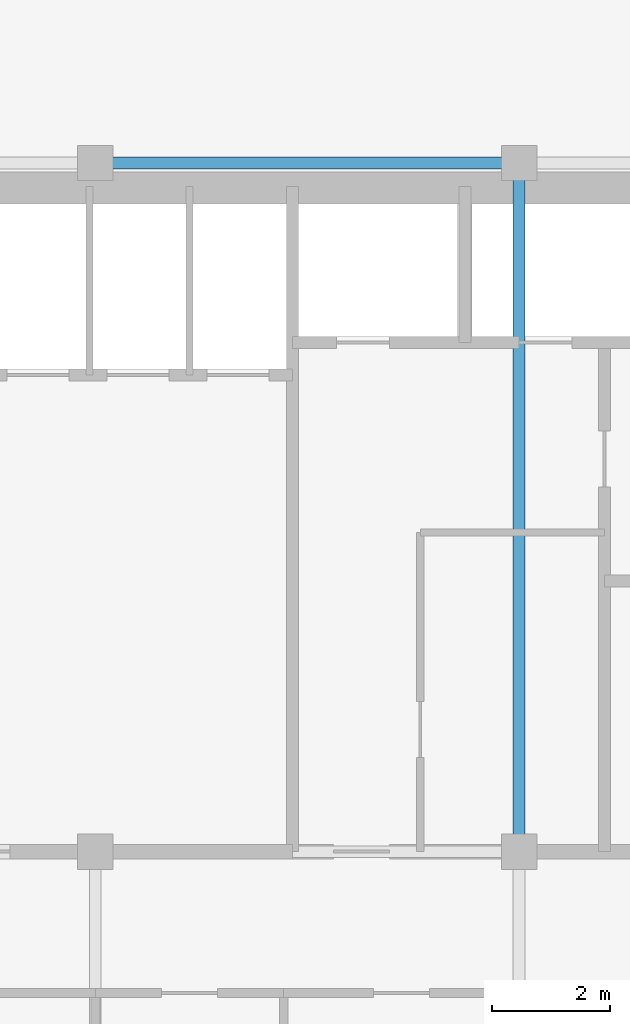
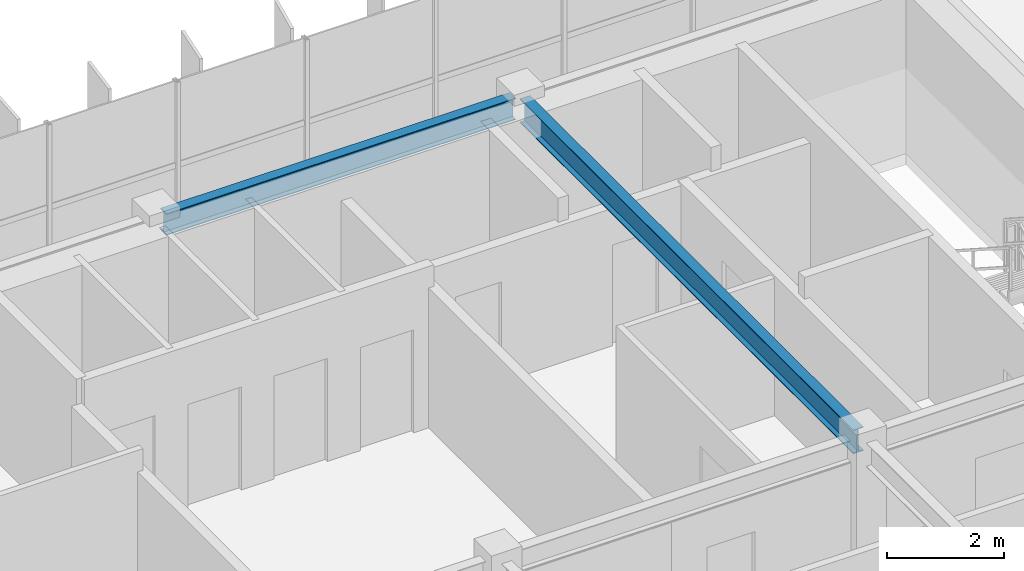
# One storey, part 10 of 22: 2 beams.
"""IFC4 building model written with IfcOpenShell, lengths in metres."""

from ifc_helpers import new_model, si_unit, direction, frame, origin, origin_2d, place, context, subcontext, project, spatial, i_section, extrude, source, transform, mapped, material, material_profile, profile_set, type_object, element, save


model = new_model("IFC4")

# Units and contexts
model_context = context("Model", 3, precision=1e-05, world=origin(), true_north=direction((0.0, 1.0)))
body_context = subcontext(model_context, "Body", "Model", "MODEL_VIEW")
ifc_project = project(units=[si_unit("LENGTHUNIT", "METRE"), si_unit("AREAUNIT", "SQUARE_METRE"), si_unit("VOLUMEUNIT", "CUBIC_METRE"), si_unit("PLANEANGLEUNIT", "RADIAN"), si_unit("MASSUNIT", "GRAM", prefix="KILO")], contexts=[model_context])

# Site, building, storey
site_placement = place(None, origin())
site = spatial("IfcSite", under=ifc_project, at=site_placement, CompositionType="ELEMENT")
building_placement = place(site_placement, origin())
building = spatial("IfcBuilding", under=site, at=building_placement, Name="Trelvane Seafront Commons", CompositionType="ELEMENT")
storey_placement = place(building_placement, frame((0.0, 0.0, 281.10009765625)))
storey = spatial("IfcBuildingStorey", under=building, at=storey_placement, Name="L73", CompositionType="ELEMENT", Elevation=281.10009765625)

# Beams
ifc_material = material(Name="Steel SM355 (S355)", Category="steel")
ifc_material_profile_1 = material_profile(ifc_material, i_section(OverallWidth=0.199951171875, OverallDepth=0.5, WebThickness=0.010009765625, FlangeThickness=0.01611328125, at=origin_2d()), Name="H-500x200x10x16")
ifc_profile_set_1 = profile_set([ifc_material_profile_1], Name="Steel SM355 (S355)")
beam_type_1 = type_object("IfcBeamType", Name="STR-BM-H500", PredefinedType="BEAM", material=ifc_profile_set_1)
shared_shape_1 = source(origin(), body_context, "Body", "SweptSolid", [
    extrude(i_section(OverallWidth=0.199951171875, OverallDepth=0.5, WebThickness=0.010009765625, FlangeThickness=0.01611328125, at=origin_2d()), origin(), (0.0, 0.0, 1.0), 11.39990234375),
])
beam_1_placement = place(storey_placement, frame((51.0, 33.550048828125, 3.119873046875), z_axis=(0.0, 1.0, 0.0), x_axis=(-1.0, 0.0, 0.0)))
element("IfcBeam", 1, at=beam_1_placement, inside=storey, type_object=beam_type_1, Name="L73 Primary Girder G-46", PredefinedType="BEAM", context=body_context, shape_type="MappedRepresentation", body=[
    mapped(shared_shape_1, transform((0.0, 0.0, 0.0), x_axis=(1.0, 0.0, 0.0), y_axis=(0.0, 1.0, 0.0), z_axis=(0.0, 0.0, 1.0), scale=1.0)),
])
ifc_material_profile_2 = material_profile(ifc_material, i_section(OverallWidth=0.199951171875, OverallDepth=0.449951171875, WebThickness=0.009033203125, FlangeThickness=0.013916015625, at=origin_2d()), Name="H-450x200x9x14")
ifc_profile_set_2 = profile_set([ifc_material_profile_2], Name="Steel SM355 (S355)")
beam_type_2 = type_object("IfcBeamType", Name="STR-SPD-H450", PredefinedType="SPANDREL", material=ifc_profile_set_2)
shared_shape_2 = source(origin(), body_context, "Body", "SweptSolid", [
    extrude(i_section(OverallWidth=0.199951171875, OverallDepth=0.449951171875, WebThickness=0.009033203125, FlangeThickness=0.013916015625, at=origin_2d()), origin(), (0.0, 0.0, 1.0), 6.900146484375),
])
beam_2_placement = place(storey_placement, frame((43.949951171875, 45.10009765625, 3.14501953125), z_axis=(1.0, 0.0, 0.0), x_axis=(0.0, 1.0, 0.0)))
element("IfcBeam", 2, at=beam_2_placement, inside=storey, type_object=beam_type_2, Name="L73 Primary Girder G-26", PredefinedType="SPANDREL", context=body_context, shape_type="MappedRepresentation", body=[
    mapped(shared_shape_2, transform((0.0, 0.0, 0.0), x_axis=(1.0, 0.0, 0.0), y_axis=(0.0, 1.0, 0.0), z_axis=(0.0, 0.0, 1.0), scale=1.0)),
])

save(model, "model.ifc")
